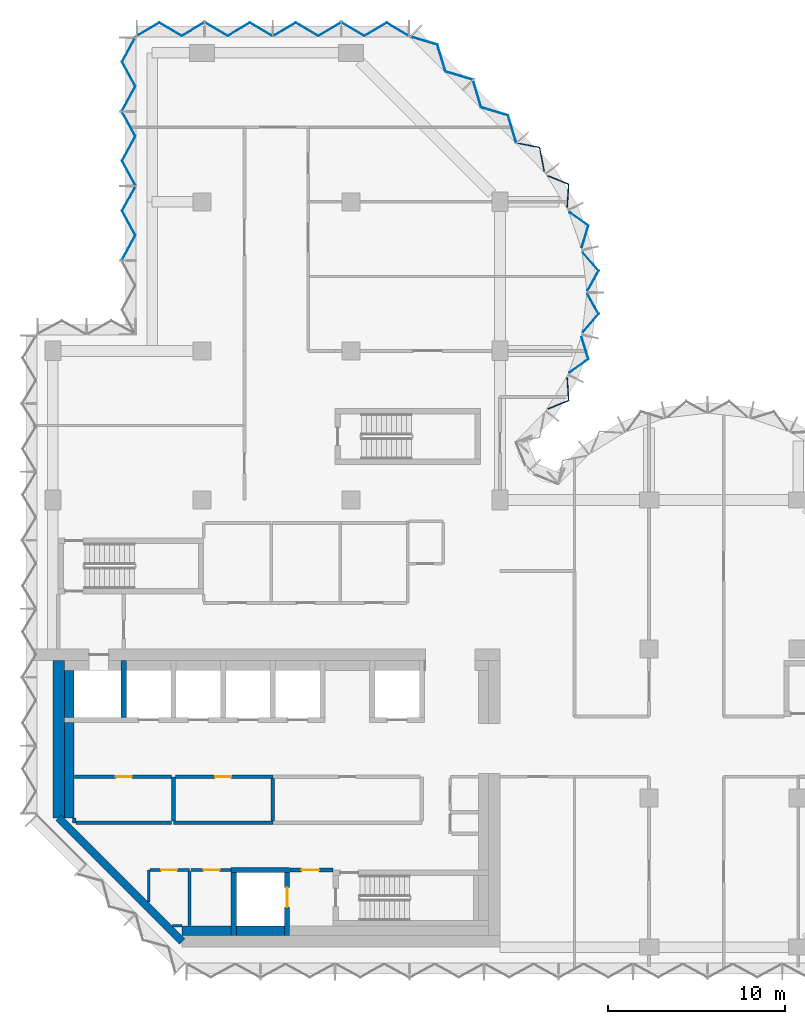
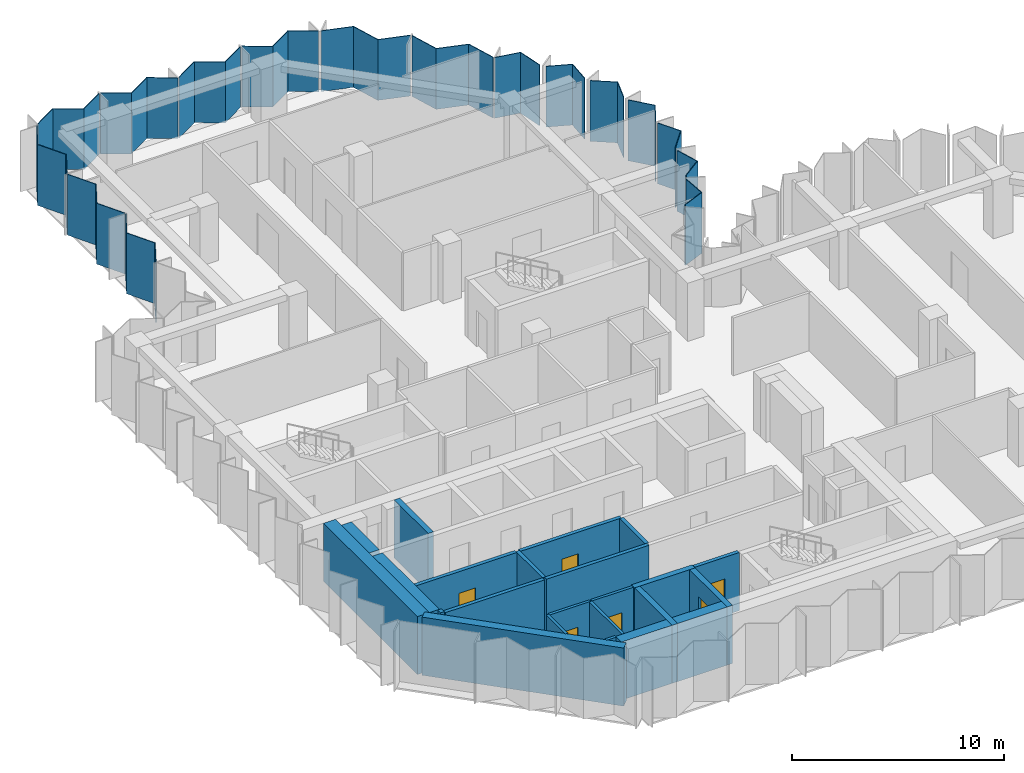
# One storey, part 4 of 10: 23 walls, 16 plates, 6 doors, 6 openings, 4 elements without a shape of their own.
"""IFC4 building model written with IfcOpenShell, lengths in metres."""

from ifc_helpers import new_model, si_unit, direction, frame, frame_2d, origin, place, context, subcontext, project, spatial, polyline, rectangle, outline, extrude, material, layer, layer_set, type_object, element, fill, aggregate, save


model = new_model("IFC4")

# Units and contexts
model_context = context("Model", 3, precision=1e-05, world=origin(), true_north=direction((0.0, 1.0)))
body_context = subcontext(model_context, "Body", "Model", "MODEL_VIEW")
ifc_project = project(units=[si_unit("LENGTHUNIT", "METRE"), si_unit("AREAUNIT", "SQUARE_METRE"), si_unit("VOLUMEUNIT", "CUBIC_METRE"), si_unit("PLANEANGLEUNIT", "RADIAN"), si_unit("MASSUNIT", "GRAM", prefix="KILO")], contexts=[model_context])

# Site, building, storey
site_placement = place(None, origin())
site = spatial("IfcSite", under=ifc_project, at=site_placement, CompositionType="ELEMENT")
building_placement = place(site_placement, origin())
building = spatial("IfcBuilding", under=site, at=building_placement, Name="Brevane Broadcast Tower", CompositionType="ELEMENT")
storey_placement = place(building_placement, frame((0.0, 0.0, 195.60009765625)))
storey = spatial("IfcBuildingStorey", under=building, at=storey_placement, Name="L49", CompositionType="ELEMENT", Elevation=195.60009765625)

# Curtain wall, plates
ifc_material_1 = material(Name="Aluminium 6063-T6 bronze anodised", Category="aluminium")
curtain_wall_type = type_object("IfcCurtainWallType", Name="CW-1 curtain wall", PredefinedType="NOTDEFINED", material=ifc_material_1)
curtain_wall_1_placement = place(storey_placement, origin())
curtain_wall_1 = element("IfcCurtainWall", 1, at=curtain_wall_1_placement, inside=storey, type_object=curtain_wall_type, Name="CW-1 typical tilted unit L49 north bow", PredefinedType="NOTDEFINED")
ifc_material_2 = material(Name="Laminated glass bronze-tinted", Category="glass")
ifc_layer_1 = layer(ifc_material_2, 0.0400390625)
ifc_layer_set_1 = layer_set([ifc_layer_1], Name="CW tall glass panel 40")
plate_type = type_object("IfcPlateType", Name="CW tall glass panel 40", PredefinedType="CURTAIN_PANEL", material=ifc_layer_set_1)
plate_1_placement = place(storey_placement, frame((0.0, 0.0, -0.150146484375)))
plate_1 = element("IfcPlate", 2, at=plate_1_placement, type_object=plate_type, Name="CW-1 glass panel", PredefinedType="CURTAIN_PANEL", context=body_context, shape_type="SweptSolid", body=[
    extrude(outline(polyline([(27.8759765625, 30.343017578125), (27.912109375, 30.314697265625), (29.089111328125, 30.7958984375), (29.006591796875, 32.08935546875), (28.96533203125, 32.10888671875), (29.04736328125, 30.822265625), (27.8759765625, 30.343017578125)])), origin(), (0.0, 0.0, 1.0), 3.5),
])
plate_2_placement = place(storey_placement, frame((0.0, 0.0, -0.150146484375)))
plate_2 = element("IfcPlate", 3, at=plate_2_placement, type_object=plate_type, Name="CW-1 glass panel", PredefinedType="CURTAIN_PANEL", context=body_context, shape_type="SweptSolid", body=[
    extrude(outline(polyline([(29.104248046875, 32.400634765625), (29.1455078125, 32.381103515625), (30.20166015625, 33.132080078125), (29.83349609375, 34.349365234375), (29.78857421875, 34.359619140625), (30.155029296875, 33.148193359375), (29.104248046875, 32.400634765625)])), origin(), (0.0, 0.0, 1.0), 3.5),
])
plate_3_placement = place(storey_placement, frame((0.0, 0.0, -0.150146484375)))
plate_3 = element("IfcPlate", 4, at=plate_3_placement, type_object=plate_type, Name="CW-1 glass panel", PredefinedType="CURTAIN_PANEL", context=body_context, shape_type="SweptSolid", body=[
    extrude(outline(polyline([(29.859619140625, 34.6748046875), (29.903564453125, 34.664794921875), (30.779296875, 35.68310546875), (30.15869140625, 36.7919921875), (30.11279296875, 36.7919921875), (30.730712890625, 35.68798828125), (29.859619140625, 34.6748046875)])), origin(), (0.0, 0.0, 1.0), 3.5),
])
plate_4_placement = place(storey_placement, frame((0.0, 0.0, -0.150146484375)))
plate_4 = element("IfcPlate", 5, at=plate_4_placement, type_object=plate_type, Name="CW-1 glass panel", PredefinedType="CURTAIN_PANEL", context=body_context, shape_type="SweptSolid", body=[
    extrude(outline(polyline([(30.11279296875, 37.008056640625), (30.15869140625, 37.008056640625), (30.779296875, 38.116943359375), (29.903564453125, 39.13525390625), (29.859619140625, 39.125), (30.730712890625, 38.112060546875), (30.11279296875, 37.008056640625)])), origin(), (0.0, 0.0, 1.0), 3.5),
])
plate_5_placement = place(storey_placement, frame((0.0, 0.0, -0.150146484375)))
plate_5 = element("IfcPlate", 6, at=plate_5_placement, type_object=plate_type, Name="CW-1 glass panel", PredefinedType="CURTAIN_PANEL", context=body_context, shape_type="SweptSolid", body=[
    extrude(outline(polyline([(29.78857421875, 39.440185546875), (29.83349609375, 39.45068359375), (30.20166015625, 40.667724609375), (29.1455078125, 41.4189453125), (29.104248046875, 41.3994140625), (30.155029296875, 40.65185546875), (29.78857421875, 39.440185546875)])), origin(), (0.0, 0.0, 1.0), 3.5),
])
plate_6_placement = place(storey_placement, frame((0.0, 0.0, -0.150146484375)))
plate_6 = element("IfcPlate", 7, at=plate_6_placement, type_object=plate_type, Name="CW-1 glass panel", PredefinedType="CURTAIN_PANEL", context=body_context, shape_type="SweptSolid", body=[
    extrude(outline(polyline([(28.96533203125, 41.69091796875), (29.006591796875, 41.710693359375), (29.089111328125, 43.00390625), (27.912109375, 43.4853515625), (27.8759765625, 43.45703125), (29.04736328125, 42.977783203125), (28.96533203125, 41.69091796875)])), origin(), (0.0, 0.0, 1.0), 3.5),
])
plate_7_placement = place(storey_placement, frame((0.0, 0.0, -0.150146484375)))
plate_7 = element("IfcPlate", 8, at=plate_7_placement, type_object=plate_type, Name="CW-1 glass panel", PredefinedType="CURTAIN_PANEL", context=body_context, shape_type="SweptSolid", body=[
    extrude(outline(polyline([(27.67626953125, 43.7109375), (27.71142578125, 43.738525390625), (27.447265625, 45.086181640625), (26.17919921875, 45.327880859375), (26.14404296875, 45.2939453125), (27.4130859375, 45.052001953125), (27.67626953125, 43.7109375)])), origin(), (0.0, 0.0, 1.0), 3.5),
])
aggregate(curtain_wall_1, [plate_1, plate_2, plate_3, plate_4, plate_5, plate_6, plate_7])

curtain_wall_2_placement = place(storey_placement, origin())
curtain_wall_2 = element("IfcCurtainWall", 9, at=curtain_wall_2_placement, inside=storey, type_object=curtain_wall_type, Name="CW-1 typical tilted unit L49 north arm north-east chamfer", PredefinedType="NOTDEFINED")
plate_8_placement = place(storey_placement, frame((0.0, 0.0, -0.150146484375)))
plate_8 = element("IfcPlate", 10, at=plate_8_placement, type_object=plate_type, Name="CW-1 glass panel", PredefinedType="CURTAIN_PANEL", context=body_context, shape_type="SweptSolid", body=[
    extrude(outline(polyline([(26.094482421875, 45.343994140625), (26.126708984375, 45.376220703125), (25.66943359375, 46.885986328125), (24.15966796875, 47.343017578125), (23.702392578125, 48.85302734375), (23.67041015625, 48.82080078125), (24.127685546875, 47.31103515625), (25.637451171875, 46.85400390625), (26.094482421875, 45.343994140625)])), origin(), (0.0, 0.0, 1.0), 3.5),
])
plate_9_placement = place(storey_placement, frame((0.0, 0.0, -0.150146484375)))
plate_9 = element("IfcPlate", 11, at=plate_9_placement, type_object=plate_type, Name="CW-1 glass panel", PredefinedType="CURTAIN_PANEL", context=body_context, shape_type="SweptSolid", body=[
    extrude(outline(polyline([(23.620849609375, 48.870361328125), (23.653076171875, 48.902587890625), (22.14306640625, 49.359619140625), (21.68603515625, 50.869384765625), (20.176025390625, 51.32666015625), (20.14404296875, 51.294677734375), (21.65380859375, 50.83740234375), (22.111083984375, 49.32763671875), (23.620849609375, 48.870361328125)])), origin(), (0.0, 0.0, 1.0), 3.5),
])
aggregate(curtain_wall_2, [plate_8, plate_9])

curtain_wall_3_placement = place(storey_placement, origin())
curtain_wall_3 = element("IfcCurtainWall", 12, at=curtain_wall_3_placement, inside=storey, type_object=curtain_wall_type, Name="CW-1 typical tilted unit L49 north end", PredefinedType="NOTDEFINED")
plate_10_placement = place(storey_placement, frame((0.0, 0.0, -0.150146484375)))
plate_10 = element("IfcPlate", 13, at=plate_10_placement, type_object=plate_type, Name="CW-1 glass panel", PredefinedType="CURTAIN_PANEL", context=body_context, shape_type="SweptSolid", body=[
    extrude(outline(polyline([(20.06494140625, 51.326904296875), (20.06494140625, 51.373291015625), (18.804931640625, 52.11767578125), (17.544921875, 51.373291015625), (16.284912109375, 52.11767578125), (16.284912109375, 52.0712890625), (17.544921875, 51.326904296875), (18.804931640625, 52.0712890625), (20.06494140625, 51.326904296875)])), origin(), (0.0, 0.0, 1.0), 3.5),
])
plate_11_placement = place(storey_placement, frame((0.0, 0.0, -0.150146484375)))
plate_11 = element("IfcPlate", 14, at=plate_11_placement, type_object=plate_type, Name="CW-1 glass panel", PredefinedType="CURTAIN_PANEL", context=body_context, shape_type="SweptSolid", body=[
    extrude(outline(polyline([(16.215087890625, 52.0712890625), (16.215087890625, 52.11767578125), (14.955078125, 51.373291015625), (13.695068359375, 52.11767578125), (12.43505859375, 51.373291015625), (12.43505859375, 51.326904296875), (13.695068359375, 52.0712890625), (14.955078125, 51.326904296875), (16.215087890625, 52.0712890625)])), origin(), (0.0, 0.0, 1.0), 3.5),
])
plate_12_placement = place(storey_placement, frame((0.0, 0.0, -0.150146484375)))
plate_12 = element("IfcPlate", 15, at=plate_12_placement, type_object=plate_type, Name="CW-1 glass panel", PredefinedType="CURTAIN_PANEL", context=body_context, shape_type="SweptSolid", body=[
    extrude(outline(polyline([(12.364990234375, 51.326904296875), (12.364990234375, 51.373291015625), (11.10498046875, 52.11767578125), (9.844970703125, 51.373291015625), (8.5849609375, 52.11767578125), (8.5849609375, 52.0712890625), (9.844970703125, 51.326904296875), (11.10498046875, 52.0712890625), (12.364990234375, 51.326904296875)])), origin(), (0.0, 0.0, 1.0), 3.5),
])
plate_13_placement = place(storey_placement, frame((0.0, 0.0, -0.150146484375)))
plate_13 = element("IfcPlate", 16, at=plate_13_placement, type_object=plate_type, Name="CW-1 glass panel", PredefinedType="CURTAIN_PANEL", context=body_context, shape_type="SweptSolid", body=[
    extrude(outline(polyline([(8.514892578125, 52.0712890625), (8.514892578125, 52.11767578125), (7.2548828125, 51.373291015625), (5.9951171875, 52.11767578125), (4.735107421875, 51.373291015625), (4.735107421875, 51.326904296875), (5.9951171875, 52.0712890625), (7.2548828125, 51.326904296875), (8.514892578125, 52.0712890625)])), origin(), (0.0, 0.0, 1.0), 3.5),
])
aggregate(curtain_wall_3, [plate_10, plate_11, plate_12, plate_13])

curtain_wall_4_placement = place(storey_placement, origin())
curtain_wall_4 = element("IfcCurtainWall", 17, at=curtain_wall_4_placement, inside=storey, type_object=curtain_wall_type, Name="CW-1 typical tilted unit L49 north wing west face, lower block", PredefinedType="NOTDEFINED")
plate_14_placement = place(storey_placement, frame((0.0, 0.0, -0.150146484375)))
plate_14 = element("IfcPlate", 18, at=plate_14_placement, type_object=plate_type, Name="CW-1 glass panel", PredefinedType="CURTAIN_PANEL", context=body_context, shape_type="SweptSolid", body=[
    extrude(outline(polyline([(4.672607421875, 51.264892578125), (4.627197265625, 51.264892578125), (3.8828125, 49.88818359375), (4.627197265625, 48.51171875), (3.8828125, 47.135009765625), (3.92822265625, 47.135009765625), (4.672607421875, 48.51171875), (3.92822265625, 49.88818359375), (4.672607421875, 51.264892578125)])), origin(), (0.0, 0.0, 1.0), 3.5),
])
plate_15_placement = place(storey_placement, frame((0.0, 0.0, -0.150146484375)))
plate_15 = element("IfcPlate", 19, at=plate_15_placement, type_object=plate_type, Name="CW-1 glass panel", PredefinedType="CURTAIN_PANEL", context=body_context, shape_type="SweptSolid", body=[
    extrude(outline(polyline([(3.92822265625, 47.06494140625), (3.8828125, 47.06494140625), (4.627197265625, 45.688232421875), (3.8828125, 44.311767578125), (4.627197265625, 42.93505859375), (4.672607421875, 42.93505859375), (3.92822265625, 44.311767578125), (4.672607421875, 45.688232421875), (3.92822265625, 47.06494140625)])), origin(), (0.0, 0.0, 1.0), 3.5),
])
plate_16_placement = place(storey_placement, frame((0.0, 0.0, -0.150146484375)))
plate_16 = element("IfcPlate", 20, at=plate_16_placement, type_object=plate_type, Name="CW-1 glass panel", PredefinedType="CURTAIN_PANEL", context=body_context, shape_type="SweptSolid", body=[
    extrude(outline(polyline([(4.672607421875, 42.864990234375), (4.627197265625, 42.864990234375), (3.8828125, 41.48828125), (4.627197265625, 40.11181640625), (3.8828125, 38.735107421875), (3.92822265625, 38.735107421875), (4.672607421875, 40.11181640625), (3.92822265625, 41.48828125), (4.672607421875, 42.864990234375)])), origin(), (0.0, 0.0, 1.0), 3.5),
])
aggregate(curtain_wall_4, [plate_14, plate_15, plate_16])

# Walls
ifc_material_3 = material(Name="Concrete C32/40", Category="concrete")
ifc_layer_2 = layer(ifc_material_3, 0.550048828125)
ifc_layer_set_2 = layer_set([ifc_layer_2], Name="Core chase wall 550 mm")
wall_type_1 = type_object("IfcWallType", Name="Core chase wall 550 mm", PredefinedType="PARTITIONING", material=ifc_layer_set_2)
wall_1_placement = place(storey_placement, frame((0.925048828125, 7.286376953125, 0.0), z_axis=(0.0, 0.0, 1.0), x_axis=(0.0, 1.0, 0.0)))
element("IfcWall", 21, at=wall_1_placement, inside=storey, type_object=wall_type_1, Name="L49 chase wall LW-1", PredefinedType="PARTITIONING", context=body_context, shape_type="SweptSolid", body=[
    extrude(rectangle(XDim=5.363525390625, YDim=0.550048828125, at=frame_2d((2.681640625, 0.0))), origin(), (0.0, 0.0, 1.0), 3.349853515625),
])
wall_2_placement = place(storey_placement, frame((0.925048828125, 12.949951171875, 0.0), z_axis=(0.0, 0.0, 1.0), x_axis=(0.0, 1.0, 0.0)))
element("IfcWall", 22, at=wall_2_placement, inside=storey, type_object=wall_type_1, Name="L49 chase wall LW-2", PredefinedType="PARTITIONING", context=body_context, shape_type="SweptSolid", body=[
    extrude(rectangle(XDim=2.650146484375, YDim=0.550048828125, at=frame_2d((1.3251953125, 0.0))), origin(), (0.0, 0.0, 1.0), 3.349853515625),
])
wall_3_placement = place(storey_placement, frame((7.286376953125, 0.925048828125, 0.0), z_axis=(0.0, 0.0, 1.0), x_axis=(1.0, 0.0, 0.0)))
element("IfcWall", 23, at=wall_3_placement, inside=storey, type_object=wall_type_1, Name="L49 chase wall LS-1", PredefinedType="PARTITIONING", context=body_context, shape_type="SweptSolid", body=[
    extrude(rectangle(XDim=2.763671875, YDim=0.550048828125, at=frame_2d((1.3818359375, 0.0))), origin(), (0.0, 0.0, 1.0), 3.349853515625),
])
wall_4_placement = place(storey_placement, frame((10.35009765625, 0.925048828125, 0.0), z_axis=(0.0, 0.0, 1.0), x_axis=(1.0, 0.0, 0.0)))
element("IfcWall", 24, at=wall_4_placement, inside=storey, type_object=wall_type_1, Name="L49 chase wall LS-2-1", PredefinedType="PARTITIONING", context=body_context, shape_type="SweptSolid", body=[
    extrude(rectangle(XDim=2.699951171875, YDim=0.550048828125, at=frame_2d((1.35009765625, 0.0))), origin(), (0.0, 0.0, 1.0), 3.349853515625),
])
ifc_material_4 = material(Name="Gypsum board on steel studs", Category="steel")
ifc_layer_3 = layer(ifc_material_4, 0.14990234375)
ifc_layer_set_3 = layer_set([ifc_layer_3], Name="Core fire partition 150 mm")
wall_type_2 = type_object("IfcWallType", Name="Core fire partition 150 mm", PredefinedType="PARTITIONING", material=ifc_layer_set_3)
wall_5_placement = place(storey_placement, frame((5.39990234375, 2.553466796875, 0.0), z_axis=(0.0, 0.0, 1.0), x_axis=(0.0, 1.0, 0.0)))
element("IfcWall", 25, at=wall_5_placement, inside=storey, type_object=wall_type_2, Name="L49 partition wall P17", PredefinedType="PARTITIONING", context=body_context, shape_type="SweptSolid", body=[
    extrude(rectangle(XDim=1.796630859375, YDim=0.14990234375, at=frame_2d((0.8984375, 0.0))), origin(), (0.0, 0.0, 1.0), 3.349853515625),
])

# Wall, opening, door
wall_6_placement = place(storey_placement, frame((5.47509765625, 4.35009765625, 0.0), z_axis=(0.0, 0.0, 1.0), x_axis=(1.0, 0.0, 0.0)))
wall_6 = element("IfcWall", 26, at=wall_6_placement, inside=storey, type_object=wall_type_2, Name="L49 partition wall P18", PredefinedType="PARTITIONING", context=body_context, shape_type="SweptSolid", body=[
    extrude(rectangle(XDim=2.224853515625, YDim=0.14990234375, at=frame_2d((1.1123046875, 0.0))), origin(), (0.0, 0.0, 1.0), 3.349853515625),
])
opening_1_placement = place(wall_6_placement, frame((0.625, 0.0, 0.0)))
opening_1 = element("IfcOpeningElement", 27, at=opening_1_placement, cuts=wall_6, Name="Opening L49-K14", PredefinedType="OPENING", context=body_context, shape_type="SweptSolid", body=[
    extrude(rectangle(XDim=0.89990234375, YDim=2.10009765625, at=frame_2d((0.449951171875, 1.050048828125))), frame((0.0, 0.0849609375, 0.0), z_axis=(0.0, -1.0, 0.0), x_axis=(1.0, 0.0, 0.0)), (0.0, 0.0, 1.0), 0.169921875),
])
ifc_material_5 = material(Name="Timber", Category="wood")
door_type_1 = type_object("IfcDoorType", Name="Toilet door 900 x 2100", OperationType="SINGLE_SWING_LEFT", PredefinedType="DOOR", material=ifc_material_5)
door_1_placement = place(opening_1_placement, origin())
door_1 = element("IfcDoor", 28, at=door_1_placement, inside=storey, type_object=door_type_1, Name="Door L49-K14", OperationType="SINGLE_SWING_RIGHT", OverallHeight=2.10009765625, OverallWidth=0.89990234375, PredefinedType="DOOR", context=body_context, shape_type="SweptSolid", body=[
    extrude(rectangle(XDim=0.89990234375, YDim=2.10009765625, at=frame_2d((0.449951171875, 1.050048828125))), frame((0.0, 0.02490234375, 0.0), z_axis=(0.0, -1.0, 0.0), x_axis=(1.0, 0.0, 0.0)), (0.0, 0.0, 1.0), 0.050048828125),
])
fill(opening_1, door_1)

# Walls
wall_7_placement = place(storey_placement, frame((7.699951171875, 4.27490234375, 0.0), z_axis=(0.0, 0.0, 1.0), x_axis=(0.0, -1.0, 0.0)))
element("IfcWall", 29, at=wall_7_placement, inside=storey, type_object=wall_type_2, Name="L49 partition wall P19", PredefinedType="PARTITIONING", context=body_context, shape_type="SweptSolid", body=[
    extrude(rectangle(XDim=3.06298828125, YDim=0.14990234375, at=frame_2d((1.531494140625, 0.0))), origin(), (0.0, 0.0, 1.0), 3.349853515625),
])
wall_8_placement = place(storey_placement, frame((7.2744140625, 1.199951171875, 0.0), z_axis=(0.0, 0.0, 1.0), x_axis=(-1.0, 0.0, 0.0)))
element("IfcWall", 30, at=wall_8_placement, inside=storey, type_object=wall_type_2, Name="L49 partition wall P20", PredefinedType="PARTITIONING", context=body_context, shape_type="SweptSolid", body=[
    extrude(rectangle(XDim=0.52099609375, YDim=0.14990234375, at=frame_2d((0.260498046875, 0.0))), origin(), (0.0, 0.0, 1.0), 3.349853515625),
])

# Wall, opening, door
wall_9_placement = place(storey_placement, frame((10.0380859375, 4.35009765625, 0.0), z_axis=(0.0, 0.0, 1.0), x_axis=(-1.0, 0.0, 0.0)))
wall_9 = element("IfcWall", 31, at=wall_9_placement, inside=storey, type_object=wall_type_2, Name="L49 partition wall P21", PredefinedType="PARTITIONING", context=body_context, shape_type="SweptSolid", body=[
    extrude(rectangle(XDim=2.26318359375, YDim=0.14990234375, at=frame_2d((1.131591796875, 0.0))), origin(), (0.0, 0.0, 1.0), 3.349853515625),
])
opening_2_placement = place(wall_9_placement, frame((0.637939453125, 0.0, 0.0)))
opening_2 = element("IfcOpeningElement", 32, at=opening_2_placement, cuts=wall_9, Name="Opening L49-K15", PredefinedType="OPENING", context=body_context, shape_type="SweptSolid", body=[
    extrude(rectangle(XDim=0.89990234375, YDim=2.10009765625, at=frame_2d((0.449951171875, 1.050048828125))), frame((0.0, 0.0849609375, 0.0), z_axis=(0.0, -1.0, 0.0), x_axis=(1.0, 0.0, 0.0)), (0.0, 0.0, 1.0), 0.169921875),
])
door_2_placement = place(opening_2_placement, origin())
door_2 = element("IfcDoor", 33, at=door_2_placement, inside=storey, type_object=door_type_1, Name="Door L49-K15", OperationType="SINGLE_SWING_LEFT", OverallHeight=2.10009765625, OverallWidth=0.89990234375, PredefinedType="DOOR", context=body_context, shape_type="SweptSolid", body=[
    extrude(rectangle(XDim=0.89990234375, YDim=2.10009765625, at=frame_2d((0.449951171875, 1.050048828125))), frame((0.0, 0.02490234375, 0.0), z_axis=(0.0, -1.0, 0.0), x_axis=(1.0, 0.0, 0.0)), (0.0, 0.0, 1.0), 0.050048828125),
])
fill(opening_2, door_2)

ifc_layer_4 = layer(ifc_material_4, 0.199951171875)
ifc_layer_set_4 = layer_set([ifc_layer_4], Name="Core fire partition 200 mm")
wall_type_3 = type_object("IfcWallType", Name="Core fire partition 200 mm", PredefinedType="PARTITIONING", material=ifc_layer_set_4)
wall_10_placement = place(storey_placement, frame((13.362060546875, 4.35009765625, 0.0), z_axis=(0.0, 0.0, 1.0), x_axis=(1.0, 0.0, 0.0)))
wall_10 = element("IfcWall", 34, at=wall_10_placement, inside=storey, type_object=wall_type_3, Name="L49 partition wall P03", PredefinedType="PARTITIONING", context=body_context, shape_type="SweptSolid", body=[
    extrude(rectangle(XDim=2.426025390625, YDim=0.199951171875, at=frame_2d((1.212890625, 0.0))), origin(), (0.0, 0.0, 1.0), 3.349853515625),
])
opening_3_placement = place(wall_10_placement, frame((0.637939453125, 0.0, 0.0)))
opening_3 = element("IfcOpeningElement", 35, at=opening_3_placement, cuts=wall_10, Name="Opening L49-K16", PredefinedType="OPENING", context=body_context, shape_type="SweptSolid", body=[
    extrude(rectangle(XDim=1.0, YDim=2.10009765625, at=frame_2d((0.5, 1.050048828125))), frame((0.0, 0.10986328125, 0.0), z_axis=(0.0, -1.0, 0.0), x_axis=(1.0, 0.0, 0.0)), (0.0, 0.0, 1.0), 0.219970703125),
])
ifc_material_6 = material(Name="Steel", Category="steel")
door_type_2 = type_object("IfcDoorType", Name="Stair door 1000 x 2100", OperationType="SINGLE_SWING_LEFT", PredefinedType="DOOR", material=ifc_material_6)
door_3_placement = place(opening_3_placement, origin())
door_3 = element("IfcDoor", 36, at=door_3_placement, inside=storey, type_object=door_type_2, Name="Door L49-K16", OperationType="SINGLE_SWING_RIGHT", OverallHeight=2.10009765625, OverallWidth=1.0, PredefinedType="DOOR", context=body_context, shape_type="SweptSolid", body=[
    extrude(rectangle(XDim=1.0, YDim=2.10009765625, at=frame_2d((0.5, 1.050048828125))), frame((0.0, 0.02490234375, 0.0), z_axis=(0.0, -1.0, 0.0), x_axis=(1.0, 0.0, 0.0)), (0.0, 0.0, 1.0), 0.050048828125),
])
fill(opening_3, door_3)

# Walls
wall_11_placement = place(storey_placement, frame((6.800048828125, 7.0, 0.0), z_axis=(0.0, 0.0, 1.0), x_axis=(1.0, 0.0, 0.0)))
element("IfcWall", 37, at=wall_11_placement, inside=storey, type_object=wall_type_3, Name="L49 partition wall P04", PredefinedType="PARTITIONING", context=body_context, shape_type="SweptSolid", body=[
    extrude(rectangle(XDim=5.599853515625, YDim=0.199951171875, at=frame_2d((2.7998046875, 0.0))), origin(), (0.0, 0.0, 1.0), 3.349853515625),
])
wall_12_placement = place(storey_placement, frame((6.800048828125, 9.60009765625, 0.0), z_axis=(0.0, 0.0, 1.0), x_axis=(0.0, -1.0, 0.0)))
element("IfcWall", 38, at=wall_12_placement, inside=storey, type_object=wall_type_3, Name="L49 partition wall P05", PredefinedType="PARTITIONING", context=body_context, shape_type="SweptSolid", body=[
    extrude(rectangle(XDim=2.5, YDim=0.199951171875, at=frame_2d((1.25, 0.0))), origin(), (0.0, 0.0, 1.0), 3.349853515625),
])

# Wall, opening, door
wall_13_placement = place(storey_placement, frame((6.699951171875, 9.60009765625, 0.0), z_axis=(0.0, 0.0, 1.0), x_axis=(-1.0, 0.0, 0.0)))
wall_13 = element("IfcWall", 39, at=wall_13_placement, inside=storey, type_object=wall_type_3, Name="L49 partition wall P06", PredefinedType="PARTITIONING", context=body_context, shape_type="SweptSolid", body=[
    extrude(rectangle(XDim=5.488037109375, YDim=0.199951171875, at=frame_2d((2.744140625, 0.0))), origin(), (0.0, 0.0, 1.0), 3.349853515625),
])
opening_4_placement = place(wall_13_placement, frame((2.25, 0.0, 0.0)))
opening_4 = element("IfcOpeningElement", 40, at=opening_4_placement, cuts=wall_13, Name="Opening L49-K19", PredefinedType="OPENING", context=body_context, shape_type="SweptSolid", body=[
    extrude(rectangle(XDim=0.89990234375, YDim=2.10009765625, at=frame_2d((0.449951171875, 1.050048828125))), frame((0.0, 0.10986328125, 0.0), z_axis=(0.0, -1.0, 0.0), x_axis=(1.0, 0.0, 0.0)), (0.0, 0.0, 1.0), 0.219970703125),
])
door_type_3 = type_object("IfcDoorType", Name="Service room door 900 x 2100", OperationType="SINGLE_SWING_LEFT", PredefinedType="DOOR", material=ifc_material_6)
door_4_placement = place(opening_4_placement, origin())
door_4 = element("IfcDoor", 41, at=door_4_placement, inside=storey, type_object=door_type_3, Name="Door L49-K19", OperationType="SINGLE_SWING_LEFT", OverallHeight=2.10009765625, OverallWidth=0.89990234375, PredefinedType="DOOR", context=body_context, shape_type="SweptSolid", body=[
    extrude(rectangle(XDim=0.89990234375, YDim=2.10009765625, at=frame_2d((0.449951171875, 1.050048828125))), frame((0.0, 0.02490234375, 0.0), z_axis=(0.0, -1.0, 0.0), x_axis=(1.0, 0.0, 0.0)), (0.0, 0.0, 1.0), 0.050048828125),
])
fill(opening_4, door_4)

# Walls
wall_14_placement = place(storey_placement, frame((1.199951171875, 7.2744140625, 0.0), z_axis=(0.0, 0.0, 1.0), x_axis=(0.0, -1.0, 0.0)))
element("IfcWall", 42, at=wall_14_placement, inside=storey, type_object=wall_type_3, Name="L49 partition wall P07", PredefinedType="PARTITIONING", context=body_context, shape_type="SweptSolid", body=[
    extrude(rectangle(XDim=0.2744140625, YDim=0.199951171875, at=frame_2d((0.13720703125, 0.0))), origin(), (0.0, 0.0, 1.0), 3.349853515625),
])
wall_15_placement = place(storey_placement, frame((1.300048828125, 7.0, 0.0), z_axis=(0.0, 0.0, 1.0), x_axis=(1.0, 0.0, 0.0)))
element("IfcWall", 43, at=wall_15_placement, inside=storey, type_object=wall_type_3, Name="L49 partition wall P08", PredefinedType="PARTITIONING", context=body_context, shape_type="SweptSolid", body=[
    extrude(rectangle(XDim=5.39990234375, YDim=0.199951171875, at=frame_2d((2.699951171875, 0.0))), origin(), (0.0, 0.0, 1.0), 3.349853515625),
])

# Wall, opening, door
wall_16_placement = place(storey_placement, frame((12.39990234375, 9.60009765625, 0.0), z_axis=(0.0, 0.0, 1.0), x_axis=(-1.0, 0.0, 0.0)))
wall_16 = element("IfcWall", 44, at=wall_16_placement, inside=storey, type_object=wall_type_3, Name="L49 partition wall P09", PredefinedType="PARTITIONING", context=body_context, shape_type="SweptSolid", body=[
    extrude(rectangle(XDim=5.5, YDim=0.199951171875, at=frame_2d((2.75, 0.0))), origin(), (0.0, 0.0, 1.0), 3.349853515625),
])
opening_5_placement = place(wall_16_placement, frame((2.35009765625, 0.0, 0.0)))
opening_5 = element("IfcOpeningElement", 45, at=opening_5_placement, cuts=wall_16, Name="Opening L49-K20", PredefinedType="OPENING", context=body_context, shape_type="SweptSolid", body=[
    extrude(rectangle(XDim=0.89990234375, YDim=2.10009765625, at=frame_2d((0.449951171875, 1.050048828125))), frame((0.0, 0.10986328125, 0.0), z_axis=(0.0, -1.0, 0.0), x_axis=(1.0, 0.0, 0.0)), (0.0, 0.0, 1.0), 0.219970703125),
])
door_5_placement = place(opening_5_placement, origin())
door_5 = element("IfcDoor", 46, at=door_5_placement, inside=storey, type_object=door_type_3, Name="Door L49-K20", OperationType="SINGLE_SWING_RIGHT", OverallHeight=2.10009765625, OverallWidth=0.89990234375, PredefinedType="DOOR", context=body_context, shape_type="SweptSolid", body=[
    extrude(rectangle(XDim=0.89990234375, YDim=2.10009765625, at=frame_2d((0.449951171875, 1.050048828125))), frame((0.0, 0.02490234375, 0.0), z_axis=(0.0, -1.0, 0.0), x_axis=(1.0, 0.0, 0.0)), (0.0, 0.0, 1.0), 0.050048828125),
])
fill(opening_5, door_5)

# Walls
wall_17_placement = place(storey_placement, frame((12.39990234375, 9.5, 0.0), z_axis=(0.0, 0.0, 1.0), x_axis=(0.0, -1.0, 0.0)))
element("IfcWall", 47, at=wall_17_placement, inside=storey, type_object=wall_type_3, Name="L49 partition wall P13", PredefinedType="PARTITIONING", context=body_context, shape_type="SweptSolid", body=[
    extrude(rectangle(XDim=2.39990234375, YDim=0.199951171875, at=frame_2d((1.199951171875, 0.0))), origin(), (0.0, 0.0, 1.0), 3.349853515625),
])
ifc_material_7 = material(Name="Concrete C60/75", Category="concrete")
ifc_layer_5 = layer(ifc_material_7, 0.300048828125)
ifc_layer_set_5 = layer_set([ifc_layer_5], Name="Core wall 300 mm C60/75")
wall_type_4 = type_object("IfcWallType", Name="Core wall 300 mm C60/75", PredefinedType="SHEAR", material=ifc_layer_set_5)
wall_18_placement = place(storey_placement, frame((4.0, 12.949951171875, 0.0), z_axis=(0.0, 0.0, 1.0), x_axis=(0.0, 1.0, 0.0)))
element("IfcWall", 48, at=wall_18_placement, inside=storey, type_object=wall_type_4, Name="L49 shaft wall SH-N-P040", PredefinedType="SHEAR", context=body_context, shape_type="SweptSolid", body=[
    extrude(rectangle(XDim=3.199951171875, YDim=0.300048828125, at=frame_2d((1.60009765625, 0.0))), origin(), (0.0, 0.0, 1.0), 3.349853515625),
])
wall_19_placement = place(storey_placement, frame((10.199951171875, 0.64990234375, 0.0), z_axis=(0.0, 0.0, 1.0), x_axis=(0.0, 1.0, 0.0)))
element("IfcWall", 49, at=wall_19_placement, inside=storey, type_object=wall_type_4, Name="L49 shaft wall FF2-W", PredefinedType="SHEAR", context=body_context, shape_type="SweptSolid", body=[
    extrude(rectangle(XDim=3.550048828125, YDim=0.300048828125, at=frame_2d((1.77490234375, 0.0))), origin(), (0.0, 0.0, 1.0), 3.349853515625),
])

# Wall, opening, door
wall_20_placement = place(storey_placement, frame((13.199951171875, 0.64990234375, 0.0), z_axis=(0.0, 0.0, 1.0), x_axis=(0.0, 1.0, 0.0)))
wall_20 = element("IfcWall", 50, at=wall_20_placement, inside=storey, type_object=wall_type_4, Name="L49 shaft wall FF2-E", PredefinedType="SHEAR", context=body_context, shape_type="SweptSolid", body=[
    extrude(rectangle(XDim=3.550048828125, YDim=0.300048828125, at=frame_2d((1.77490234375, 0.0))), origin(), (0.0, 0.0, 1.0), 3.349853515625),
])
opening_6_placement = place(wall_20_placement, frame((1.60009765625, 0.0, 0.0)))
opening_6 = element("IfcOpeningElement", 51, at=opening_6_placement, cuts=wall_20, Name="Opening LD", PredefinedType="OPENING", context=body_context, shape_type="SweptSolid", body=[
    extrude(rectangle(XDim=1.10009765625, YDim=2.300048828125, at=frame_2d((0.550048828125, 1.14990234375))), frame((0.0, 0.159912109375, 0.0), z_axis=(0.0, -1.0, 0.0), x_axis=(1.0, 0.0, 0.0)), (0.0, 0.0, 1.0), 0.320068359375),
])
ifc_material_8 = material(Name="Stainless steel", Category="steel")
door_type_4 = type_object("IfcDoorType", Name="Lift landing door", OperationType="SLIDING_TO_LEFT", PredefinedType="DOOR", material=ifc_material_8)
door_6_placement = place(opening_6_placement, origin())
door_6 = element("IfcDoor", 52, at=door_6_placement, inside=storey, type_object=door_type_4, Name="Landing door FF2 L49", OperationType="SLIDING_TO_LEFT", OverallHeight=2.300048828125, OverallWidth=1.10009765625, PredefinedType="DOOR", context=body_context, shape_type="SweptSolid", body=[
    extrude(rectangle(XDim=1.10009765625, YDim=2.300048828125, at=frame_2d((0.550048828125, 1.14990234375))), frame((0.0, 0.02490234375, 0.0), z_axis=(0.0, -1.0, 0.0), x_axis=(1.0, 0.0, 0.0)), (0.0, 0.0, 1.0), 0.050048828125),
])
fill(opening_6, door_6)

# Walls
wall_21_placement = place(storey_placement, frame((10.050048828125, 4.35009765625, 0.0), z_axis=(0.0, 0.0, 1.0), x_axis=(1.0, 0.0, 0.0)))
element("IfcWall", 53, at=wall_21_placement, inside=storey, type_object=wall_type_4, Name="L49 shaft wall FF2-N", PredefinedType="SHEAR", context=body_context, shape_type="SweptSolid", body=[
    extrude(rectangle(XDim=3.300048828125, YDim=0.300048828125, at=frame_2d((1.64990234375, 0.0))), origin(), (0.0, 0.0, 1.0), 3.349853515625),
])
ifc_layer_6 = layer(ifc_material_7, 0.449951171875)
ifc_layer_set_6 = layer_set([ifc_layer_6], Name="Core wall 450 mm C60/75")
wall_type_5 = type_object("IfcWallType", Name="Core wall 450 mm C60/75", PredefinedType="SHEAR", material=ifc_layer_set_6)
wall_22_placement = place(storey_placement, frame((0.324951171875, 7.293212890625, 0.0), z_axis=(0.0, 0.0, 1.0), x_axis=(0.707106781187, -0.707106781187, 0.0)))
element("IfcWall", 54, at=wall_22_placement, inside=storey, type_object=wall_type_5, Name="L49 outer wall WC", PredefinedType="SHEAR", context=body_context, shape_type="SweptSolid", body=[
    extrude(rectangle(XDim=9.8544921875, YDim=0.449951171875, at=frame_2d((4.92724609375, 0.0))), origin(), (0.0, 0.0, 1.0), 3.349853515625),
])
ifc_layer_7 = layer(ifc_material_7, 0.64990234375)
ifc_layer_set_7 = layer_set([ifc_layer_7], Name="Core wall 650 mm C60/75")
wall_type_6 = type_object("IfcWallType", Name="Core wall 650 mm C60/75", PredefinedType="SHEAR", material=ifc_layer_set_7)
wall_23_placement = place(storey_placement, frame((0.324951171875, 7.286376953125, 0.0), z_axis=(0.0, 0.0, 1.0), x_axis=(0.0, 1.0, 0.0)))
element("IfcWall", 55, at=wall_23_placement, inside=storey, type_object=wall_type_6, Name="L49 outer wall WW", PredefinedType="SHEAR", context=body_context, shape_type="SweptSolid", body=[
    extrude(rectangle(XDim=8.863525390625, YDim=0.64990234375, at=frame_2d((4.431640625, 0.0))), origin(), (0.0, 0.0, 1.0), 3.349853515625),
])

save(model, "model.ifc")
